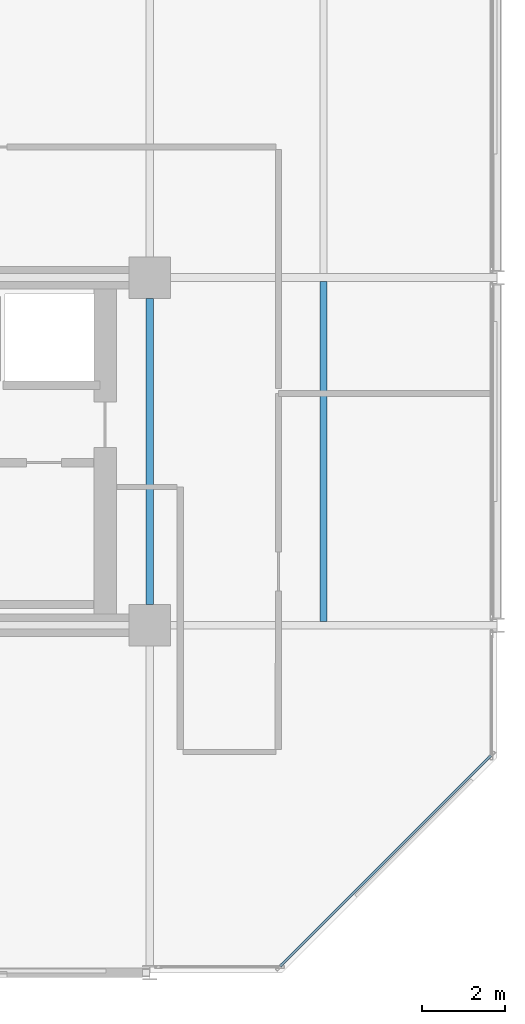
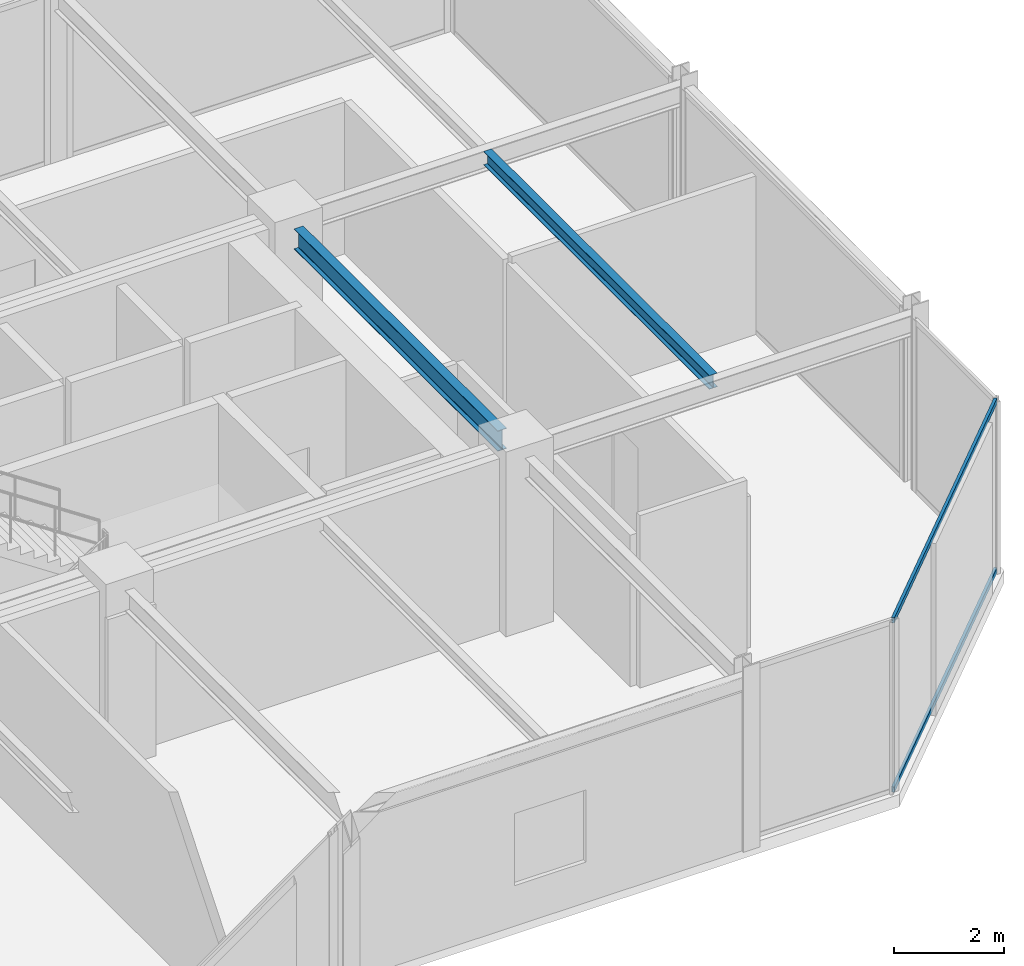
# One storey, part 12 of 29: 2 beams, 2 members, 1 element without a shape of its own.
"""IFC4 building model written with IfcOpenShell, lengths in metres."""

from ifc_helpers import new_model, si_unit, direction, frame, origin, origin_2d, place, context, subcontext, project, spatial, hollow_rectangle, i_section, extrude, material, layer, layer_set, material_profile, profile_set, type_object, element, aggregate, save


model = new_model("IFC4")

# Units and contexts
model_context = context("Model", 3, precision=1e-05, world=origin(), true_north=direction((0.0, 1.0)))
body_context = subcontext(model_context, "Body", "Model", "MODEL_VIEW")
ifc_project = project(units=[si_unit("LENGTHUNIT", "METRE"), si_unit("AREAUNIT", "SQUARE_METRE"), si_unit("VOLUMEUNIT", "CUBIC_METRE"), si_unit("PLANEANGLEUNIT", "RADIAN"), si_unit("MASSUNIT", "GRAM", prefix="KILO")], contexts=[model_context])

# Site, building, storey
site_placement = place(None, origin())
site = spatial("IfcSite", under=ifc_project, at=site_placement, CompositionType="ELEMENT")
building_placement = place(site_placement, origin())
building = spatial("IfcBuilding", under=site, at=building_placement, Name="Nerrivon Quay Data Exchange", CompositionType="ELEMENT")
storey_placement = place(building_placement, frame((0.0, 0.0, 212.39990234375)))
storey = spatial("IfcBuildingStorey", under=building, at=storey_placement, Name="L50", CompositionType="ELEMENT", Elevation=212.39990234375)

# Beams
ifc_material_1 = material(Name="Steel Grade 350", Category="steel")
ifc_material_profile_1 = material_profile(ifc_material_1, i_section(OverallWidth=0.18994140625, OverallDepth=0.4541015625, WebThickness=0.008544921875, FlangeThickness=0.0126953125, FilletRadius=0.011474609375, at=origin_2d()), Name="460UB67.1")
ifc_profile_set_1 = profile_set([ifc_material_profile_1], Name="Steel Grade 350")
beam_type_1 = type_object("IfcBeamType", Name="BM-G6-460UB67", PredefinedType="BEAM", material=ifc_profile_set_1)
beam_1_placement = place(storey_placement, frame((33.60009765625, 8.89990234375, 3.59814453125), z_axis=(0.0, 1.0, 0.0), x_axis=(-1.0, 0.0, 0.0)))
element("IfcBeam", 1, at=beam_1_placement, inside=storey, type_object=beam_type_1, Name="L50 NS Girder X=33.6 (8.4..16.8)", PredefinedType="BEAM", context=body_context, shape_type="SweptSolid", body=[
    extrude(i_section(OverallWidth=0.18994140625, OverallDepth=0.4541015625, WebThickness=0.008544921875, FlangeThickness=0.0126953125, FilletRadius=0.011474609375, at=origin_2d()), origin(), (0.0, 0.0, 1.0), 7.400146484375),
])
ifc_material_profile_2 = material_profile(ifc_material_1, i_section(OverallWidth=0.166015625, OverallDepth=0.306884765625, WebThickness=0.006591796875, FlangeThickness=0.01171875, FilletRadius=0.011474609375, at=origin_2d()), Name="310UB46.2")
ifc_profile_set_2 = profile_set([ifc_material_profile_2], Name="Steel Grade 350")
beam_type_2 = type_object("IfcBeamType", Name="BM-J5-310UB46", PredefinedType="JOIST", material=ifc_profile_set_2)
beam_2_placement = place(storey_placement, frame((37.800048828125, 8.49560546875, 3.671630859375), z_axis=(0.0, 1.0, 0.0), x_axis=(-1.0, 0.0, 0.0)))
element("IfcBeam", 2, at=beam_2_placement, inside=storey, type_object=beam_type_2, Name="L50 Secondary Joist X=37.8 (8.4..16.8)", PredefinedType="JOIST", context=body_context, shape_type="SweptSolid", body=[
    extrude(i_section(OverallWidth=0.166015625, OverallDepth=0.306884765625, WebThickness=0.006591796875, FlangeThickness=0.01171875, FilletRadius=0.011474609375, at=origin_2d()), origin(), (0.0, 0.0, 1.0), 8.208984375),
])

# Curtain wall, members
ifc_material_2 = material(Name="Anodised aluminium 6063-T6", Category="aluminium")
ifc_layer = layer(ifc_material_2, 0.195068359375)
ifc_layer_set = layer_set([ifc_layer], Name="Anodised aluminium 6063-T6")
curtain_wall_type = type_object("IfcCurtainWallType", Name="CW-SYS-06", PredefinedType="NOTDEFINED", material=ifc_layer_set)
curtain_wall_placement = place(storey_placement, origin())
curtain_wall = element("IfcCurtainWall", 3, at=curtain_wall_placement, inside=storey, type_object=curtain_wall_type, Name="L50 Unitised Curtain Wall 21", PredefinedType="NOTDEFINED")
ifc_material_profile_3 = material_profile(ifc_material_2, hollow_rectangle(XDim=0.06005859375, YDim=0.1201171875, WallThickness=0.003173828125, at=origin_2d()), Name="ALU-TRAN-120x60")
ifc_profile_set_3 = profile_set([ifc_material_profile_3], Name="Anodised aluminium 6063-T6")
member_type = type_object("IfcMemberType", Name="CWT-120x60", PredefinedType="USERDEFINED", material=ifc_profile_set_3)
member_1_placement = place(storey_placement, frame((41.847900390625, 5.245849609375, 0.03271484375), z_axis=(-0.707106781187, -0.707106781187, 0.0), x_axis=(0.707106781187, -0.707106781187, 0.0)))
member_1 = element("IfcMember", 4, at=member_1_placement, type_object=member_type, Name="CW06 transom 1.1", ObjectType="TRANSOM", PredefinedType="USERDEFINED", context=body_context, shape_type="SweptSolid", body=[
    extrude(hollow_rectangle(XDim=0.06005859375, YDim=0.1201171875, WallThickness=0.003173828125, at=origin_2d()), origin(), (0.0, 0.0, 1.0), 7.20361328125),
])
member_2_placement = place(storey_placement, frame((41.847900390625, 5.245849609375, 3.79248046875), z_axis=(-0.707106781187, -0.707106781187, 0.0), x_axis=(0.707106781187, -0.707106781187, 0.0)))
member_2 = element("IfcMember", 5, at=member_2_placement, type_object=member_type, Name="CW06 transom 1.2", ObjectType="TRANSOM", PredefinedType="USERDEFINED", context=body_context, shape_type="SweptSolid", body=[
    extrude(hollow_rectangle(XDim=0.06005859375, YDim=0.1201171875, WallThickness=0.003173828125, at=origin_2d()), origin(), (0.0, 0.0, 1.0), 7.20361328125),
])
aggregate(curtain_wall, [member_1, member_2])

save(model, "model.ifc")
